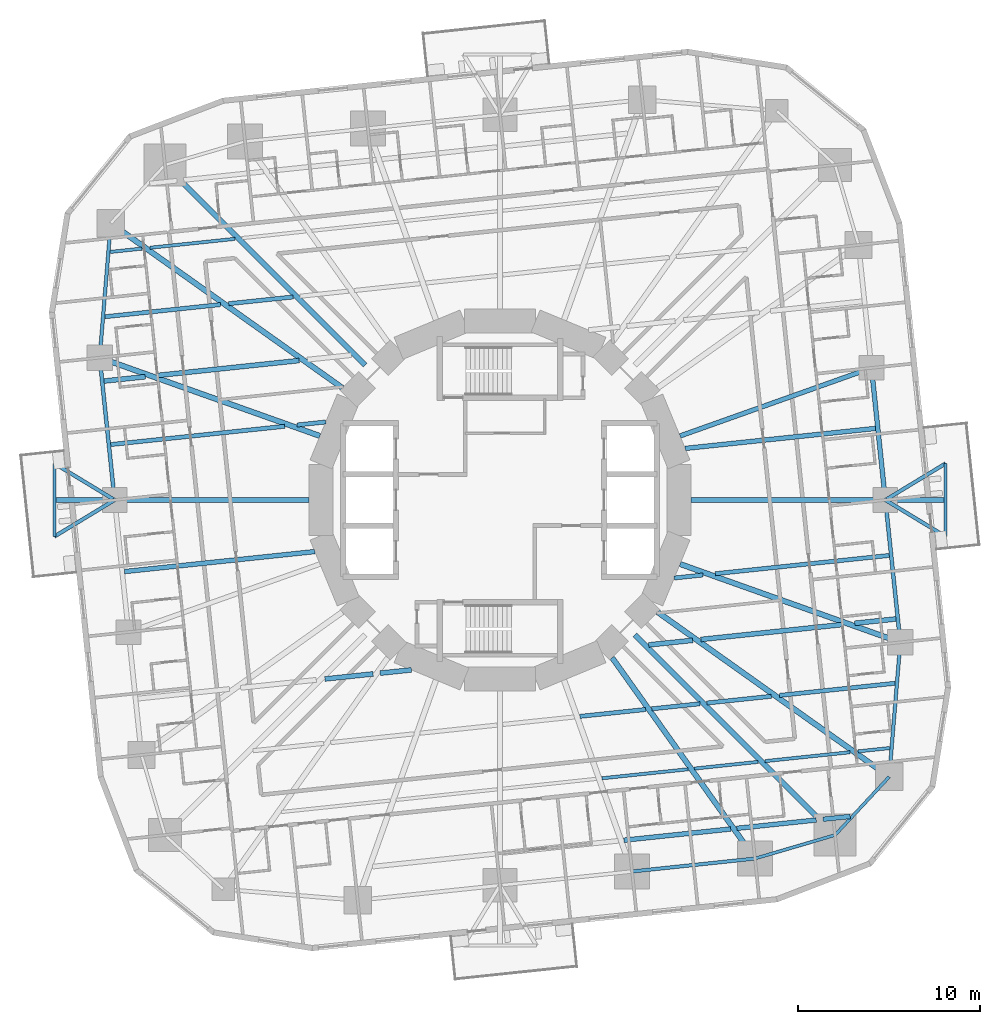
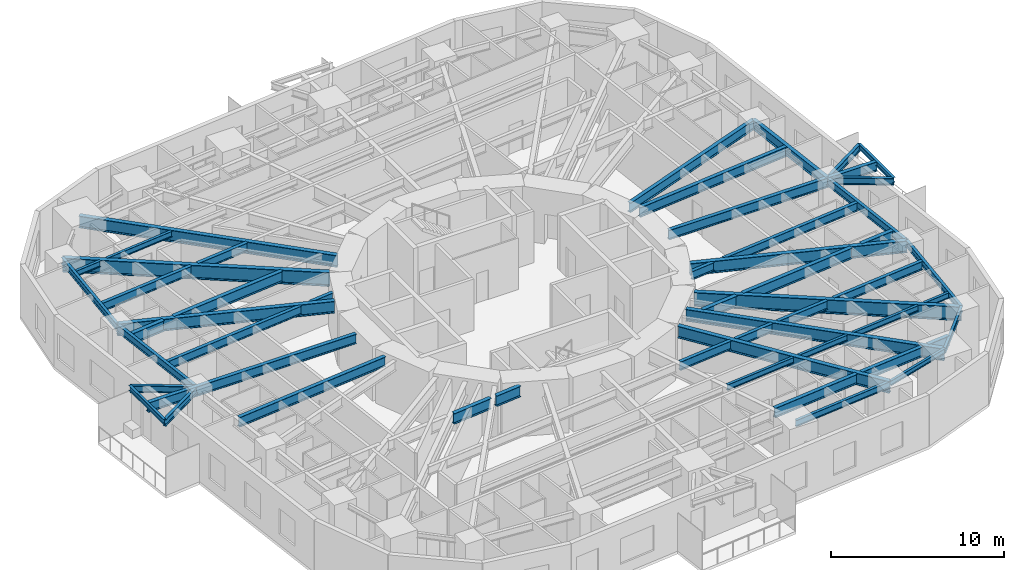
# One storey, part 2 of 15: 52 beams.
"""IFC4 building model written with IfcOpenShell, lengths in metres."""

from ifc_helpers import new_model, si_unit, direction, frame, origin, origin_2d, place, context, subcontext, project, spatial, i_section, extrude, material, material_profile, profile_set, type_object, element, save


model = new_model("IFC4")

# Units and contexts
model_context = context("Model", 3, precision=1e-05, world=origin(), true_north=direction((0.0, 1.0)))
body_context = subcontext(model_context, "Body", "Model", "MODEL_VIEW")
ifc_project = project(units=[si_unit("LENGTHUNIT", "METRE"), si_unit("AREAUNIT", "SQUARE_METRE"), si_unit("VOLUMEUNIT", "CUBIC_METRE"), si_unit("PLANEANGLEUNIT", "RADIAN"), si_unit("MASSUNIT", "GRAM", prefix="KILO")], contexts=[model_context])

# Site, building, storey
site_placement = place(None, origin())
site = spatial("IfcSite", under=ifc_project, at=site_placement, CompositionType="ELEMENT")
building_placement = place(site_placement, origin())
building = spatial("IfcBuilding", under=site, at=building_placement, Name="Nakasero Lantern House", CompositionType="ELEMENT")
storey_placement = place(building_placement, frame((0.0, 0.0, 68.199951171875)))
storey = spatial("IfcBuildingStorey", under=building, at=storey_placement, Name="L16", CompositionType="ELEMENT", Elevation=68.199951171875)

# Beams
ifc_material_1 = material(Name="Steel S355", Category="steel")
ifc_material_profile_1 = material_profile(ifc_material_1, i_section(OverallWidth=0.199462890625, OverallDepth=0.491943359375, WebThickness=0.01806640625, FlangeThickness=0.031982421875, FilletRadius=0.01025390625, at=origin_2d()), Name="UB 457x191x161")
ifc_profile_set_1 = profile_set([ifc_material_profile_1], Name="Steel S355")
beam_type_1 = type_object("IfcBeamType", Name="Balcony splay beam UB 457x191x161", PredefinedType="BEAM", material=ifc_profile_set_1)
for number, where, z_axis, x_axis, name in (
    (1, (21.11572265625, 0.0, 3.404052734375), (0.855201230787, 0.518296107317, 0.0), (-0.518296107317, 0.855201230787, 0.0), "Balcony splay beam L17 B2-C03A"),
    (2, (21.11572265625, 0.0, 3.404052734375), (0.855201230787, -0.518296107317, 0.0), (0.518296107317, 0.855201230787, 0.0), "Balcony splay beam L17 B2-C03B"),
    (3, (-21.11572265625, 0.0, 3.404052734375), (-0.855201230787, -0.518296107317, 0.0), (0.518296107317, -0.855201230787, 0.0), "Balcony splay beam L17 B2-C15A"),
    (4, (-21.11572265625, 0.0, 3.404052734375), (-0.855201230787, 0.518296107317, 0.0), (-0.518296107317, -0.855201230787, 0.0), "Balcony splay beam L17 B2-C15B"),
):
    element("IfcBeam", number, at=place(storey_placement, frame(where, z_axis=z_axis, x_axis=x_axis)), inside=storey, type_object=beam_type_1, Name=name, PredefinedType="BEAM", context=body_context, shape_type="SweptSolid", body=[
        extrude(i_section(OverallWidth=0.199462890625, OverallDepth=0.491943359375, WebThickness=0.01806640625, FlangeThickness=0.031982421875, FilletRadius=0.01025390625, at=origin_2d()), origin(), (0.0, 0.0, 1.0), 3.85888671875),
    ])
ifc_material_2 = material(Name="Steel S355", Category="steel")
ifc_material_profile_2 = material_profile(ifc_material_2, i_section(OverallWidth=0.17138671875, OverallDepth=0.35498046875, WebThickness=0.00732421875, FlangeThickness=0.011474609375, FilletRadius=0.01025390625, at=origin_2d()), Name="UB 356x171x51")
ifc_profile_set_2 = profile_set([ifc_material_profile_2], Name="Steel S355")
beam_type_2 = type_object("IfcBeamType", Name="Balcony tie beam UB 356x171x51", PredefinedType="BEAM", material=ifc_profile_set_2)
for number, where, z_axis, x_axis, name in (
    (5, (24.415771484375, 2.0, 3.47265625), (0.0, -1.0, 0.0), (1.0, 0.0, 0.0), "Balcony tie beam L17 B2-C03"),
    (6, (-24.415771484375, -2.0, 3.47265625), (0.0, 1.0, 0.0), (-1.0, 0.0, 0.0), "Balcony tie beam L17 B2-C15"),
):
    element("IfcBeam", number, at=place(storey_placement, frame(where, z_axis=z_axis, x_axis=x_axis)), inside=storey, type_object=beam_type_2, Name=name, PredefinedType="BEAM", context=body_context, shape_type="SweptSolid", body=[
        extrude(i_section(OverallWidth=0.17138671875, OverallDepth=0.35498046875, WebThickness=0.00732421875, FlangeThickness=0.011474609375, FilletRadius=0.01025390625, at=origin_2d()), origin(), (0.0, 0.0, 1.0), 4.0),
    ])
ifc_material_3 = material(Name="Steel S355", Category="steel")
ifc_material_profile_3 = material_profile(ifc_material_3, i_section(OverallWidth=0.177978515625, OverallDepth=0.406494140625, WebThickness=0.0078125, FlangeThickness=0.0126953125, FilletRadius=0.01025390625, at=origin_2d()), Name="UB 406x178x60")
ifc_profile_set_3 = profile_set([ifc_material_profile_3], Name="Steel S355")
beam_type_3 = type_object("IfcBeamType", Name="Infill beam UB 406x178x60", PredefinedType="JOIST", material=ifc_profile_set_3)
beam_1_placement = place(storey_placement, frame((5.58154296875, -15.25, 3.44677734375), z_axis=(0.994523439889, 0.104513767091, 0.0), x_axis=(-0.104513767091, 0.994523439889, 0.0)))
element("IfcBeam", 7, at=beam_1_placement, inside=storey, type_object=beam_type_3, Name="Infill beam L17 03.4", PredefinedType="JOIST", context=body_context, shape_type="SweptSolid", body=[
    extrude(i_section(OverallWidth=0.177978515625, OverallDepth=0.406494140625, WebThickness=0.0078125, FlangeThickness=0.0126953125, FilletRadius=0.01025390625, at=origin_2d()), origin(), (0.0, 0.0, 1.0), 4.756103515625),
])
beam_2_placement = place(storey_placement, frame((10.6455078125, -14.7177734375, 3.44677734375), z_axis=(0.994521415391, 0.104533029842, 0.0), x_axis=(-0.104533029842, 0.994521415391, 0.0)))
element("IfcBeam", 8, at=beam_2_placement, inside=storey, type_object=beam_type_3, Name="Infill beam L17 03.5", PredefinedType="JOIST", context=body_context, shape_type="SweptSolid", body=[
    extrude(i_section(OverallWidth=0.177978515625, OverallDepth=0.406494140625, WebThickness=0.0078125, FlangeThickness=0.0126953125, FilletRadius=0.01025390625, at=origin_2d()), origin(), (0.0, 0.0, 1.0), 3.517333984375),
])
beam_3_placement = place(storey_placement, frame((14.517578125, -14.310791015625, 3.44677734375), z_axis=(0.994522000641, 0.104527461662, 0.0), x_axis=(-0.104527461662, 0.994522000641, 0.0)))
element("IfcBeam", 9, at=beam_3_placement, inside=storey, type_object=beam_type_3, Name="Infill beam L17 03.6", PredefinedType="JOIST", context=body_context, shape_type="SweptSolid", body=[
    extrude(i_section(OverallWidth=0.177978515625, OverallDepth=0.406494140625, WebThickness=0.0078125, FlangeThickness=0.0126953125, FilletRadius=0.01025390625, at=origin_2d()), origin(), (0.0, 0.0, 1.0), 4.685302734375),
])
for number, where, z_axis, x_axis, name in (
    (10, (19.628173828125, -13.773681640625, 3.44677734375), (0.994526919783, 0.1044806481, 0.0), (-0.1044806481, 0.994526919783, 0.0), "Infill beam L17 03.7"),
    (11, (-21.36181640625, 13.591552734375, 3.44677734375), (0.994526919783, 0.1044806481, 0.0), (-0.1044806481, 0.994526919783, 0.0), "Infill beam L17 12.1"),
):
    element("IfcBeam", number, at=place(storey_placement, frame(where, z_axis=z_axis, x_axis=x_axis)), inside=storey, type_object=beam_type_3, Name=name, PredefinedType="JOIST", context=body_context, shape_type="SweptSolid", body=[
        extrude(i_section(OverallWidth=0.177978515625, OverallDepth=0.406494140625, WebThickness=0.0078125, FlangeThickness=0.0126953125, FilletRadius=0.01025390625, at=origin_2d()), origin(), (0.0, 0.0, 1.0), 1.7431640625),
    ])
beam_4_placement = place(storey_placement, frame((-19.17724609375, 13.821044921875, 3.44677734375), z_axis=(0.994522000641, 0.104527461662, 0.0), x_axis=(-0.104527461662, 0.994522000641, 0.0)))
element("IfcBeam", 12, at=beam_4_placement, inside=storey, type_object=beam_type_3, Name="Infill beam L17 12.2", PredefinedType="JOIST", context=body_context, shape_type="SweptSolid", body=[
    extrude(i_section(OverallWidth=0.177978515625, OverallDepth=0.406494140625, WebThickness=0.0078125, FlangeThickness=0.0126953125, FilletRadius=0.01025390625, at=origin_2d()), origin(), (0.0, 0.0, 1.0), 4.685302734375),
])
ifc_material_4 = material(Name="Steel S355", Category="steel")
ifc_material_profile_4 = material_profile(ifc_material_4, i_section(OverallWidth=0.2275390625, OverallDepth=0.6025390625, WebThickness=0.010498046875, FlangeThickness=0.014892578125, FilletRadius=0.0126953125, at=origin_2d()), Name="UB 610x229x101")
ifc_profile_set_4 = profile_set([ifc_material_profile_4], Name="Steel S355")
beam_type_4 = type_object("IfcBeamType", Name="Infill beam UB 610x229x101", PredefinedType="JOIST", material=ifc_profile_set_4)
beam_5_placement = place(storey_placement, frame((9.548583984375, -4.275390625, 3.3486328125), z_axis=(0.99451559139, 0.104588424223, 0.0), x_axis=(-0.104588424223, 0.99451559139, 0.0)))
element("IfcBeam", 13, at=beam_5_placement, inside=storey, type_object=beam_type_4, Name="Infill beam L17 06.1", PredefinedType="JOIST", context=body_context, shape_type="SweptSolid", body=[
    extrude(i_section(OverallWidth=0.2275390625, OverallDepth=0.6025390625, WebThickness=0.010498046875, FlangeThickness=0.014892578125, FilletRadius=0.0126953125, at=origin_2d()), origin(), (0.0, 0.0, 1.0), 1.582763671875),
])
for number, where, z_axis, x_axis, name in (
    (14, (11.79638671875, -4.0390625, 3.3486328125), (0.994521908804, 0.104528335435, 0.0), (-0.104528335435, 0.994521908804, 0.0), "Infill beam L17 06.2"),
    (15, (-21.329345703125, 3.037109375, 3.3486328125), (0.994521908804, 0.104528335435, 0.0), (-0.104528335435, 0.994521908804, 0.0), "Infill beam L17 09.1"),
):
    element("IfcBeam", number, at=place(storey_placement, frame(where, z_axis=z_axis, x_axis=x_axis)), inside=storey, type_object=beam_type_4, Name=name, PredefinedType="JOIST", context=body_context, shape_type="SweptSolid", body=[
        extrude(i_section(OverallWidth=0.2275390625, OverallDepth=0.6025390625, WebThickness=0.010498046875, FlangeThickness=0.014892578125, FilletRadius=0.0126953125, at=origin_2d()), origin(), (0.0, 0.0, 1.0), 9.58544921875),
    ])
beam_6_placement = place(storey_placement, frame((-11.12255859375, 4.10986328125, 3.3486328125), z_axis=(0.99451559139, 0.104588424223, 0.0), x_axis=(-0.104588424223, 0.99451559139, 0.0)))
element("IfcBeam", 16, at=beam_6_placement, inside=storey, type_object=beam_type_4, Name="Infill beam L17 09.2", PredefinedType="JOIST", context=body_context, shape_type="SweptSolid", body=[
    extrude(i_section(OverallWidth=0.2275390625, OverallDepth=0.6025390625, WebThickness=0.010498046875, FlangeThickness=0.014892578125, FilletRadius=0.0126953125, at=origin_2d()), origin(), (0.0, 0.0, 1.0), 1.582763671875),
])
ifc_material_5 = material(Name="Steel S355", Category="steel")
ifc_material_profile_5 = material_profile(ifc_material_5, i_section(OverallWidth=0.22900390625, OverallDepth=0.6123046875, WebThickness=0.011962890625, FlangeThickness=0.01953125, FilletRadius=0.0126953125, at=origin_2d()), Name="UB 610x229x125")
ifc_profile_set_5 = profile_set([ifc_material_profile_5], Name="Steel S355")
beam_type_5 = type_object("IfcBeamType", Name="Infill beam UB 610x229x125", PredefinedType="JOIST", material=ifc_profile_set_5)
beam_7_placement = place(storey_placement, frame((4.375244140625, -11.857666015625, 3.343994140625), z_axis=(0.994523507044, 0.104513128058, 0.0), x_axis=(-0.104513128058, 0.994523507044, 0.0)))
element("IfcBeam", 17, at=beam_7_placement, inside=storey, type_object=beam_type_5, Name="Infill beam L17 04.5", PredefinedType="JOIST", context=body_context, shape_type="SweptSolid", body=[
    extrude(i_section(OverallWidth=0.22900390625, OverallDepth=0.6123046875, WebThickness=0.011962890625, FlangeThickness=0.01953125, FilletRadius=0.0126953125, at=origin_2d()), origin(), (0.0, 0.0, 1.0), 3.627685546875),
])
beam_8_placement = place(storey_placement, frame((8.31689453125, -11.443359375, 3.343994140625), z_axis=(0.994526079282, 0.104488648322, 0.0), x_axis=(-0.104488648322, 0.994526079282, 0.0)))
element("IfcBeam", 18, at=beam_8_placement, inside=storey, type_object=beam_type_5, Name="Infill beam L17 04.6", PredefinedType="JOIST", context=body_context, shape_type="SweptSolid", body=[
    extrude(i_section(OverallWidth=0.22900390625, OverallDepth=0.6123046875, WebThickness=0.011962890625, FlangeThickness=0.01953125, FilletRadius=0.0126953125, at=origin_2d()), origin(), (0.0, 0.0, 1.0), 2.65673828125),
])
beam_9_placement = place(storey_placement, frame((11.3330078125, -11.126220703125, 3.343994140625), z_axis=(0.99452727583, 0.104477258916, 0.0), x_axis=(-0.104477258916, 0.99452727583, 0.0)))
element("IfcBeam", 19, at=beam_9_placement, inside=storey, type_object=beam_type_5, Name="Infill beam L17 04.7", PredefinedType="JOIST", context=body_context, shape_type="SweptSolid", body=[
    extrude(i_section(OverallWidth=0.22900390625, OverallDepth=0.6123046875, WebThickness=0.011962890625, FlangeThickness=0.01953125, FilletRadius=0.0126953125, at=origin_2d()), origin(), (0.0, 0.0, 1.0), 3.552001953125),
])
for number, where, z_axis, x_axis, name in (
    (20, (15.31640625, -10.707763671875, 3.343994140625), (0.994520346325, 0.104543200382, 0.0), (-0.104543200382, 0.994520346325, 0.0), "Infill beam L17 04.8"),
    (21, (-21.654541015625, 10.04150390625, 3.343994140625), (0.994520346325, 0.104543200382, 0.0), (-0.104543200382, 0.994520346325, 0.0), "Infill beam L17 11.1"),
):
    element("IfcBeam", number, at=place(storey_placement, frame(where, z_axis=z_axis, x_axis=x_axis)), inside=storey, type_object=beam_type_5, Name=name, PredefinedType="JOIST", context=body_context, shape_type="SweptSolid", body=[
        extrude(i_section(OverallWidth=0.22900390625, OverallDepth=0.6123046875, WebThickness=0.011962890625, FlangeThickness=0.01953125, FilletRadius=0.0126953125, at=origin_2d()), origin(), (0.0, 0.0, 1.0), 6.373046875),
    ])
beam_10_placement = place(storey_placement, frame((-14.865478515625, 10.755126953125, 3.343994140625), z_axis=(0.99452727583, 0.104477258916, 0.0), x_axis=(-0.104477258916, 0.99452727583, 0.0)))
element("IfcBeam", 22, at=beam_10_placement, inside=storey, type_object=beam_type_5, Name="Infill beam L17 11.2", PredefinedType="JOIST", context=body_context, shape_type="SweptSolid", body=[
    extrude(i_section(OverallWidth=0.22900390625, OverallDepth=0.6123046875, WebThickness=0.011962890625, FlangeThickness=0.01953125, FilletRadius=0.0126953125, at=origin_2d()), origin(), (0.0, 0.0, 1.0), 3.552001953125),
])
ifc_material_6 = material(Name="Steel S355", Category="steel")
ifc_material_profile_6 = material_profile(ifc_material_6, i_section(OverallWidth=0.255859375, OverallDepth=0.69287109375, WebThickness=0.014404296875, FlangeThickness=0.023681640625, FilletRadius=0.01513671875, at=origin_2d()), Name="UB 686x254x170")
ifc_profile_set_6 = profile_set([ifc_material_profile_6], Name="Steel S355")
beam_type_6 = type_object("IfcBeamType", Name="Infill beam UB 686x254x170", PredefinedType="JOIST", material=ifc_profile_set_6)
beam_11_placement = place(storey_placement, frame((6.78759765625, -18.642578125, 3.3037109375), z_axis=(0.994524304789, 0.104505536616, 0.0), x_axis=(-0.104505536616, 0.994524304789, 0.0)))
element("IfcBeam", 23, at=beam_11_placement, inside=storey, type_object=beam_type_6, Name="Infill beam L17 02.3", PredefinedType="JOIST", context=body_context, shape_type="SweptSolid", body=[
    extrude(i_section(OverallWidth=0.255859375, OverallDepth=0.69287109375, WebThickness=0.014404296875, FlangeThickness=0.023681640625, FilletRadius=0.01513671875, at=origin_2d()), origin(), (0.0, 0.0, 1.0), 5.884765625),
])
beam_12_placement = place(storey_placement, frame((12.97412109375, -17.992431640625, 3.3037109375), z_axis=(0.994518584312, 0.104559961062, 0.0), x_axis=(-0.104559961062, 0.994518584312, 0.0)))
element("IfcBeam", 24, at=beam_12_placement, inside=storey, type_object=beam_type_6, Name="Infill beam L17 02.4", PredefinedType="JOIST", context=body_context, shape_type="SweptSolid", body=[
    extrude(i_section(OverallWidth=0.255859375, OverallDepth=0.69287109375, WebThickness=0.014404296875, FlangeThickness=0.023681640625, FilletRadius=0.01513671875, at=origin_2d()), origin(), (0.0, 0.0, 1.0), 4.3779296875),
])
beam_13_placement = place(storey_placement, frame((17.7021484375, -17.495361328125, 3.3037109375), z_axis=(0.994535800288, 0.104396082038, 0.0), x_axis=(-0.104396082038, 0.994535800288, 0.0)))
element("IfcBeam", 25, at=beam_13_placement, inside=storey, type_object=beam_type_6, Name="Infill beam L17 02.5", PredefinedType="JOIST", context=body_context, shape_type="SweptSolid", body=[
    extrude(i_section(OverallWidth=0.255859375, OverallDepth=0.69287109375, WebThickness=0.014404296875, FlangeThickness=0.023681640625, FilletRadius=0.01513671875, at=origin_2d()), origin(), (0.0, 0.0, 1.0), 1.49658203125),
])
for number, where, z_axis, x_axis, name in (
    (26, (-20.575927734375, -3.92236328125, 3.3037109375), (0.994521899939, 0.104528419781, 0.0), (-0.104528419781, 0.994521899939, 0.0), "Infill beam L17 07.1"),
    (27, (10.148681640625, 2.826416015625, 3.3037109375), (0.994521899939, 0.104528419781, 0.0), (-0.104528419781, 0.994521899939, 0.0), "Infill beam L17 08.1"),
):
    element("IfcBeam", number, at=place(storey_placement, frame(where, z_axis=z_axis, x_axis=x_axis)), inside=storey, type_object=beam_type_6, Name=name, PredefinedType="JOIST", context=body_context, shape_type="SweptSolid", body=[
        extrude(i_section(OverallWidth=0.255859375, OverallDepth=0.69287109375, WebThickness=0.014404296875, FlangeThickness=0.023681640625, FilletRadius=0.01513671875, at=origin_2d()), origin(), (0.0, 0.0, 1.0), 10.484619140625),
    ])
ifc_material_7 = material(Name="Steel S355", Category="steel")
ifc_material_profile_7 = material_profile(ifc_material_7, i_section(OverallWidth=0.2666015625, OverallDepth=0.76220703125, WebThickness=0.014404296875, FlangeThickness=0.021484375, FilletRadius=0.0166015625, at=origin_2d()), Name="UB 762x267x173")
ifc_profile_set_7 = profile_set([ifc_material_profile_7], Name="Steel S355")
beam_type_7 = type_object("IfcBeamType", Name="Infill beam UB 762x267x173", PredefinedType="JOIST", material=ifc_profile_set_7)
beam_14_placement = place(storey_placement, frame((-9.594482421875, -9.806640625, 3.26904296875), z_axis=(0.994521575627, 0.104531505358, 0.0), x_axis=(-0.104531505358, 0.994521575627, 0.0)))
element("IfcBeam", 28, at=beam_14_placement, inside=storey, type_object=beam_type_7, Name="Infill beam L17 05.3", PredefinedType="JOIST", context=body_context, shape_type="SweptSolid", body=[
    extrude(i_section(OverallWidth=0.2666015625, OverallDepth=0.76220703125, WebThickness=0.014404296875, FlangeThickness=0.021484375, FilletRadius=0.0166015625, at=origin_2d()), origin(), (0.0, 0.0, 1.0), 2.6533203125),
])
beam_15_placement = place(storey_placement, frame((-6.568115234375, -9.488525390625, 3.26904296875), z_axis=(0.994529501552, 0.104456069922, 0.0), x_axis=(-0.104456069922, 0.994529501552, 0.0)))
element("IfcBeam", 29, at=beam_15_placement, inside=storey, type_object=beam_type_7, Name="Infill beam L17 05.4", PredefinedType="JOIST", context=body_context, shape_type="SweptSolid", body=[
    extrude(i_section(OverallWidth=0.2666015625, OverallDepth=0.76220703125, WebThickness=0.014404296875, FlangeThickness=0.021484375, FilletRadius=0.0166015625, at=origin_2d()), origin(), (0.0, 0.0, 1.0), 1.72265625),
])
beam_16_placement = place(storey_placement, frame((8.1484375, -7.941650390625, 3.26904296875), z_axis=(0.99452700398, 0.104479846642, 0.0), x_axis=(-0.104479846642, 0.99452700398, 0.0)))
element("IfcBeam", 30, at=beam_16_placement, inside=storey, type_object=beam_type_7, Name="Infill beam L17 05.5", PredefinedType="JOIST", context=body_context, shape_type="SweptSolid", body=[
    extrude(i_section(OverallWidth=0.2666015625, OverallDepth=0.76220703125, WebThickness=0.014404296875, FlangeThickness=0.021484375, FilletRadius=0.0166015625, at=origin_2d()), origin(), (0.0, 0.0, 1.0), 2.41845703125),
])
beam_17_placement = place(storey_placement, frame((11.0048828125, -7.6416015625, 3.26904296875), z_axis=(0.994520535103, 0.104541404521, 0.0), x_axis=(-0.104541404521, 0.994520535103, 0.0)))
element("IfcBeam", 31, at=beam_17_placement, inside=storey, type_object=beam_type_7, Name="Infill beam L17 05.6", PredefinedType="JOIST", context=body_context, shape_type="SweptSolid", body=[
    extrude(i_section(OverallWidth=0.2666015625, OverallDepth=0.76220703125, WebThickness=0.014404296875, FlangeThickness=0.021484375, FilletRadius=0.0166015625, at=origin_2d()), origin(), (0.0, 0.0, 1.0), 7.800048828125),
])
for number, where, z_axis, x_axis, name in (
    (32, (19.43603515625, -6.75537109375, 3.26904296875), (0.994516636986, 0.104578481334, 0.0), (-0.104578481334, 0.994516636986, 0.0), "Infill beam L17 05.7"),
    (33, (-21.695068359375, 6.517822265625, 3.26904296875), (0.994516636986, 0.104578481334, 0.0), (-0.104578481334, 0.994516636986, 0.0), "Infill beam L17 10.1"),
):
    element("IfcBeam", number, at=place(storey_placement, frame(where, z_axis=z_axis, x_axis=x_axis)), inside=storey, type_object=beam_type_7, Name=name, PredefinedType="JOIST", context=body_context, shape_type="SweptSolid", body=[
        extrude(i_section(OverallWidth=0.2666015625, OverallDepth=0.76220703125, WebThickness=0.014404296875, FlangeThickness=0.021484375, FilletRadius=0.0166015625, at=origin_2d()), origin(), (0.0, 0.0, 1.0), 2.271484375),
    ])
beam_18_placement = place(storey_placement, frame((-18.76220703125, 6.826171875, 3.26904296875), z_axis=(0.994520535103, 0.104541404521, 0.0), x_axis=(-0.104541404521, 0.994520535103, 0.0)))
element("IfcBeam", 34, at=beam_18_placement, inside=storey, type_object=beam_type_7, Name="Infill beam L17 10.2", PredefinedType="JOIST", context=body_context, shape_type="SweptSolid", body=[
    extrude(i_section(OverallWidth=0.2666015625, OverallDepth=0.76220703125, WebThickness=0.014404296875, FlangeThickness=0.021484375, FilletRadius=0.0166015625, at=origin_2d()), origin(), (0.0, 0.0, 1.0), 7.800048828125),
])
ifc_material_8 = material(Name="Steel S355", Category="steel")
ifc_material_profile_8 = material_profile(ifc_material_8, i_section(OverallWidth=0.300048828125, OverallDepth=0.989990234375, WebThickness=0.0166015625, FlangeThickness=0.031005859375, FilletRadius=0.030029296875, at=origin_2d()), Name="UB 1016x305x272")
ifc_profile_set_8 = profile_set([ifc_material_profile_8], Name="Steel S355")
beam_type_8 = type_object("IfcBeamType", Name="Primary beam UB 1016x305x272, span over 15 m", PredefinedType="BEAM", material=ifc_profile_set_8)
for number, where, z_axis, x_axis, name in (
    (35, (21.327880859375, -15.16650390625, 3.155029296875), (-0.814951538239, 0.57952911085, 0.0), (-0.57952911085, -0.814951538239, 0.0), "Primary beam L17 B2-C01"),
    (36, (-21.327880859375, 15.16650390625, 3.155029296875), (0.814951538239, -0.57952911085, 0.0), (0.57952911085, 0.814951538239, 0.0), "Primary beam L17 B2-C13"),
):
    element("IfcBeam", number, at=place(storey_placement, frame(where, z_axis=z_axis, x_axis=x_axis)), inside=storey, type_object=beam_type_8, Name=name, PredefinedType="BEAM", context=body_context, shape_type="SweptSolid", body=[
        extrude(i_section(OverallWidth=0.300048828125, OverallDepth=0.989990234375, WebThickness=0.0166015625, FlangeThickness=0.031005859375, FilletRadius=0.030029296875, at=origin_2d()), origin(), (0.0, 0.0, 1.0), 15.564697265625),
    ])
ifc_material_9 = material(Name="Steel S355", Category="steel")
ifc_material_profile_9 = material_profile(ifc_material_9, i_section(OverallWidth=0.253662109375, OverallDepth=0.68359375, WebThickness=0.012451171875, FlangeThickness=0.01904296875, FilletRadius=0.01513671875, at=origin_2d()), Name="UB 686x254x140")
ifc_profile_set_9 = profile_set([ifc_material_profile_9], Name="Steel S355")
beam_type_9 = type_object("IfcBeamType", Name="Primary beam UB 686x254x140, span 9 to 12 m", PredefinedType="BEAM", material=ifc_profile_set_9)
beam_19_placement = place(storey_placement, frame((24.415771484375, 0.0, 3.308349609375), z_axis=(-1.0, 0.0, 0.0), x_axis=(0.0, -1.0, 0.0)))
element("IfcBeam", 37, at=beam_19_placement, inside=storey, type_object=beam_type_9, Name="Primary beam L17 B2-C03", PredefinedType="BEAM", context=body_context, shape_type="SweptSolid", body=[
    extrude(i_section(OverallWidth=0.253662109375, OverallDepth=0.68359375, WebThickness=0.012451171875, FlangeThickness=0.01904296875, FilletRadius=0.01513671875, at=origin_2d()), origin(), (0.0, 0.0, 1.0), 13.9580078125),
])
beam_20_placement = place(storey_placement, frame((20.35498046875, 7.2373046875, 3.308349609375), z_axis=(-0.942214844119, -0.335009234979, 0.0), x_axis=(0.335009234979, -0.942214844119, 0.0)))
element("IfcBeam", 38, at=beam_20_placement, inside=storey, type_object=beam_type_9, Name="Primary beam L17 B2-C04", PredefinedType="BEAM", context=body_context, shape_type="SweptSolid", body=[
    extrude(i_section(OverallWidth=0.253662109375, OverallDepth=0.68359375, WebThickness=0.012451171875, FlangeThickness=0.01904296875, FilletRadius=0.01513671875, at=origin_2d()), origin(), (0.0, 0.0, 1.0), 11.1318359375),
])
beam_21_placement = place(storey_placement, frame((-24.415771484375, 0.0, 3.308349609375), z_axis=(1.0, 0.0, 0.0), x_axis=(0.0, 1.0, 0.0)))
element("IfcBeam", 39, at=beam_21_placement, inside=storey, type_object=beam_type_9, Name="Primary beam L17 B2-C15", PredefinedType="BEAM", context=body_context, shape_type="SweptSolid", body=[
    extrude(i_section(OverallWidth=0.253662109375, OverallDepth=0.68359375, WebThickness=0.012451171875, FlangeThickness=0.01904296875, FilletRadius=0.01513671875, at=origin_2d()), origin(), (0.0, 0.0, 1.0), 13.9580078125),
])
ifc_material_10 = material(Name="Steel S355", Category="steel")
ifc_material_profile_10 = material_profile(ifc_material_10, i_section(OverallWidth=0.29248046875, OverallDepth=0.8408203125, WebThickness=0.0146484375, FlangeThickness=0.02685546875, FilletRadius=0.017822265625, at=origin_2d()), Name="UB 838x292x194")
ifc_profile_set_10 = profile_set([ifc_material_profile_10], Name="Steel S355")
beam_type_10 = type_object("IfcBeamType", Name="Primary beam UB 838x292x194, span 12 to 15 m", PredefinedType="BEAM", material=ifc_profile_set_10)
for number, where, z_axis, x_axis, name in (
    (40, (21.935302734375, -7.79931640625, 3.229736328125), (-0.942211882636, 0.335017564047, 0.0), (-0.335017564047, -0.942211882636, 0.0), "Primary beam L17 B2-C02"),
    (41, (-21.935302734375, 7.79931640625, 3.229736328125), (0.942211882636, -0.335017564047, 0.0), (0.335017564047, 0.942211882636, 0.0), "Primary beam L17 B2-C14"),
):
    element("IfcBeam", number, at=place(storey_placement, frame(where, z_axis=z_axis, x_axis=x_axis)), inside=storey, type_object=beam_type_10, Name=name, PredefinedType="BEAM", context=body_context, shape_type="SweptSolid", body=[
        extrude(i_section(OverallWidth=0.29248046875, OverallDepth=0.8408203125, WebThickness=0.0146484375, FlangeThickness=0.02685546875, FilletRadius=0.017822265625, at=origin_2d()), origin(), (0.0, 0.0, 1.0), 12.80908203125),
    ])
beam_22_placement = place(storey_placement, frame((13.971435546875, -19.647216796875, 3.229736328125), z_axis=(-0.579533393168, 0.814948492976, 0.0), x_axis=(-0.814948492976, -0.579533393168, 0.0)))
element("IfcBeam", 42, at=beam_22_placement, inside=storey, type_object=beam_type_10, Name="Primary beam L17 B2-C23", PredefinedType="BEAM", context=body_context, shape_type="SweptSolid", body=[
    extrude(i_section(OverallWidth=0.29248046875, OverallDepth=0.8408203125, WebThickness=0.0146484375, FlangeThickness=0.02685546875, FilletRadius=0.017822265625, at=origin_2d()), origin(), (0.0, 0.0, 1.0), 13.502685546875),
])
ifc_material_11 = material(Name="Steel S355", Category="steel")
ifc_material_profile_11 = material_profile(ifc_material_11, i_section(OverallWidth=0.29248046875, OverallDepth=0.8408203125, WebThickness=0.0146484375, FlangeThickness=0.02685546875, FilletRadius=0.017822265625, at=origin_2d()), Name="UB 838x292x194")
ifc_profile_set_11 = profile_set([ifc_material_profile_11], Name="Steel S355")
beam_type_11 = type_object("IfcBeamType", Name="Primary beam UB 838x292x194, span over 15 m", PredefinedType="BEAM", material=ifc_profile_set_11)
for number, where, z_axis, x_axis, name in (
    (43, (-18.359375, 18.359375, 3.229736328125), (0.707106781187, -0.707106781187, 0.0), (0.707106781187, 0.707106781187, 0.0), "Primary beam L17 B2-C12"),
    (44, (18.359375, -18.359375, 3.229736328125), (-0.707106781187, 0.707106781187, 0.0), (-0.707106781187, -0.707106781187, 0.0), "Primary beam L17 B2-C24"),
):
    element("IfcBeam", number, at=place(storey_placement, frame(where, z_axis=z_axis, x_axis=x_axis)), inside=storey, type_object=beam_type_11, Name=name, PredefinedType="BEAM", context=body_context, shape_type="SweptSolid", body=[
        extrude(i_section(OverallWidth=0.29248046875, OverallDepth=0.8408203125, WebThickness=0.0146484375, FlangeThickness=0.02685546875, FilletRadius=0.017822265625, at=origin_2d()), origin(), (0.0, 0.0, 1.0), 15.50634765625),
    ])
ifc_material_12 = material(Name="Steel S355", Category="steel")
ifc_material_profile_12 = material_profile(ifc_material_12, i_section(OverallWidth=0.17138671875, OverallDepth=0.35498046875, WebThickness=0.00732421875, FlangeThickness=0.011474609375, FilletRadius=0.01025390625, at=origin_2d()), Name="UB 356x171x51")
ifc_profile_set_12 = profile_set([ifc_material_profile_12], Name="Steel S355")
beam_type_12 = type_object("IfcBeamType", Name="Ring beam UB 356x171x51", PredefinedType="BEAM", material=ifc_profile_set_12)
beam_23_placement = place(storey_placement, frame((13.971435546875, -19.647216796875, 3.47265625), z_axis=(0.959526865957, 0.28161710443, 0.0), x_axis=(-0.28161710443, 0.959526865957, 0.0)))
element("IfcBeam", 45, at=beam_23_placement, inside=storey, type_object=beam_type_12, Name="Ring beam L17 B2-C23", PredefinedType="BEAM", context=body_context, shape_type="SweptSolid", body=[
    extrude(i_section(OverallWidth=0.17138671875, OverallDepth=0.35498046875, WebThickness=0.00732421875, FlangeThickness=0.011474609375, FilletRadius=0.01025390625, at=origin_2d()), origin(), (0.0, 0.0, 1.0), 4.572998046875),
])
beam_24_placement = place(storey_placement, frame((18.359375, -18.359375, 3.47265625), z_axis=(0.680906333933, 0.732370510336, 0.0), x_axis=(-0.732370510336, 0.680906333933, 0.0)))
element("IfcBeam", 46, at=beam_24_placement, inside=storey, type_object=beam_type_12, Name="Ring beam L17 B2-C24", PredefinedType="BEAM", context=body_context, shape_type="SweptSolid", body=[
    extrude(i_section(OverallWidth=0.17138671875, OverallDepth=0.35498046875, WebThickness=0.00732421875, FlangeThickness=0.011474609375, FilletRadius=0.01025390625, at=origin_2d()), origin(), (0.0, 0.0, 1.0), 4.359619140625),
])
ifc_material_13 = material(Name="Steel S355", Category="steel")
ifc_material_profile_13 = material_profile(ifc_material_13, i_section(OverallWidth=0.18994140625, OverallDepth=0.453369140625, WebThickness=0.008544921875, FlangeThickness=0.0126953125, FilletRadius=0.01025390625, at=origin_2d()), Name="UB 457x191x67")
ifc_profile_set_13 = profile_set([ifc_material_profile_13], Name="Steel S355")
beam_type_13 = type_object("IfcBeamType", Name="Ring beam UB 457x191x67", PredefinedType="BEAM", material=ifc_profile_set_13)
beam_25_placement = place(storey_placement, frame((7.2373046875, -20.35498046875, 3.42333984375), z_axis=(0.994522233155, 0.10452524939, 0.0), x_axis=(-0.10452524939, 0.994522233155, 0.0)))
element("IfcBeam", 47, at=beam_25_placement, inside=storey, type_object=beam_type_13, Name="Ring beam L17 B2-C22", PredefinedType="BEAM", context=body_context, shape_type="SweptSolid", body=[
    extrude(i_section(OverallWidth=0.18994140625, OverallDepth=0.453369140625, WebThickness=0.008544921875, FlangeThickness=0.0126953125, FilletRadius=0.01025390625, at=origin_2d()), origin(), (0.0, 0.0, 1.0), 6.771240234375),
])
ifc_material_14 = material(Name="Steel S355", Category="steel")
ifc_material_profile_14 = material_profile(ifc_material_14, i_section(OverallWidth=0.19140625, OverallDepth=0.4599609375, WebThickness=0.010009765625, FlangeThickness=0.01611328125, FilletRadius=0.01025390625, at=origin_2d()), Name="UB 457x191x82")
ifc_profile_set_14 = profile_set([ifc_material_profile_14], Name="Steel S355")
beam_type_14 = type_object("IfcBeamType", Name="Ring beam UB 457x191x82", PredefinedType="BEAM", material=ifc_profile_set_14)
for number, where, z_axis, x_axis, name in (
    (48, (21.327880859375, -15.16650390625, 3.420166015625), (0.08217080574, 0.996618261264, 0.0), (-0.996618261264, 0.08217080574, 0.0), "Ring beam L17 B2-C01"),
    (49, (-21.327880859375, 15.16650390625, 3.420166015625), (-0.08217080574, -0.996618261264, 0.0), (0.996618261264, -0.08217080574, 0.0), "Ring beam L17 B2-C13"),
):
    element("IfcBeam", number, at=place(storey_placement, frame(where, z_axis=z_axis, x_axis=x_axis)), inside=storey, type_object=beam_type_14, Name=name, PredefinedType="BEAM", context=body_context, shape_type="SweptSolid", body=[
        extrude(i_section(OverallWidth=0.19140625, OverallDepth=0.4599609375, WebThickness=0.010009765625, FlangeThickness=0.01611328125, FilletRadius=0.01025390625, at=origin_2d()), origin(), (0.0, 0.0, 1.0), 7.39208984375),
    ])
ifc_material_15 = material(Name="Steel S355", Category="steel")
ifc_material_profile_15 = material_profile(ifc_material_15, i_section(OverallWidth=0.2099609375, OverallDepth=0.53662109375, WebThickness=0.0107421875, FlangeThickness=0.017333984375, FilletRadius=0.0126953125, at=origin_2d()), Name="UB 533x210x101")
ifc_profile_set_15 = profile_set([ifc_material_profile_15], Name="Steel S355")
beam_type_15 = type_object("IfcBeamType", Name="Ring beam UB 533x210x101", PredefinedType="BEAM", material=ifc_profile_set_15)
for number, where, z_axis, x_axis, name in (
    (50, (21.935302734375, -7.79931640625, 3.381591796875), (-0.104508144098, 0.994524030789, 0.0), (-0.994524030789, -0.104508144098, 0.0), "Ring beam L17 B2-C02"),
    (51, (-21.935302734375, 7.79931640625, 3.381591796875), (0.104508144098, -0.994524030789, 0.0), (0.994524030789, 0.104508144098, 0.0), "Ring beam L17 B2-C14"),
):
    element("IfcBeam", number, at=place(storey_placement, frame(where, z_axis=z_axis, x_axis=x_axis)), inside=storey, type_object=beam_type_15, Name=name, PredefinedType="BEAM", context=body_context, shape_type="SweptSolid", body=[
        extrude(i_section(OverallWidth=0.2099609375, OverallDepth=0.53662109375, WebThickness=0.0107421875, FlangeThickness=0.017333984375, FilletRadius=0.0126953125, at=origin_2d()), origin(), (0.0, 0.0, 1.0), 7.84228515625),
    ])
ifc_material_16 = material(Name="Steel S355", Category="steel")
ifc_material_profile_16 = material_profile(ifc_material_16, i_section(OverallWidth=0.253662109375, OverallDepth=0.68359375, WebThickness=0.012451171875, FlangeThickness=0.01904296875, FilletRadius=0.01513671875, at=origin_2d()), Name="UB 686x254x140")
ifc_profile_set_16 = profile_set([ifc_material_profile_16], Name="Steel S355")
beam_type_16 = type_object("IfcBeamType", Name="Ring beam UB 686x254x140", PredefinedType="BEAM", material=ifc_profile_set_16)
beam_26_placement = place(storey_placement, frame((21.11572265625, 0.0, 3.308349609375), z_axis=(-0.104538087767, 0.994520883746, 0.0), x_axis=(-0.994520883746, -0.104538087767, 0.0)))
element("IfcBeam", 52, at=beam_26_placement, inside=storey, type_object=beam_type_16, Name="Ring beam L17 B2-C03", PredefinedType="BEAM", context=body_context, shape_type="SweptSolid", body=[
    extrude(i_section(OverallWidth=0.253662109375, OverallDepth=0.68359375, WebThickness=0.012451171875, FlangeThickness=0.01904296875, FilletRadius=0.01513671875, at=origin_2d()), origin(), (0.0, 0.0, 1.0), 7.277099609375),
])

save(model, "model.ifc")
